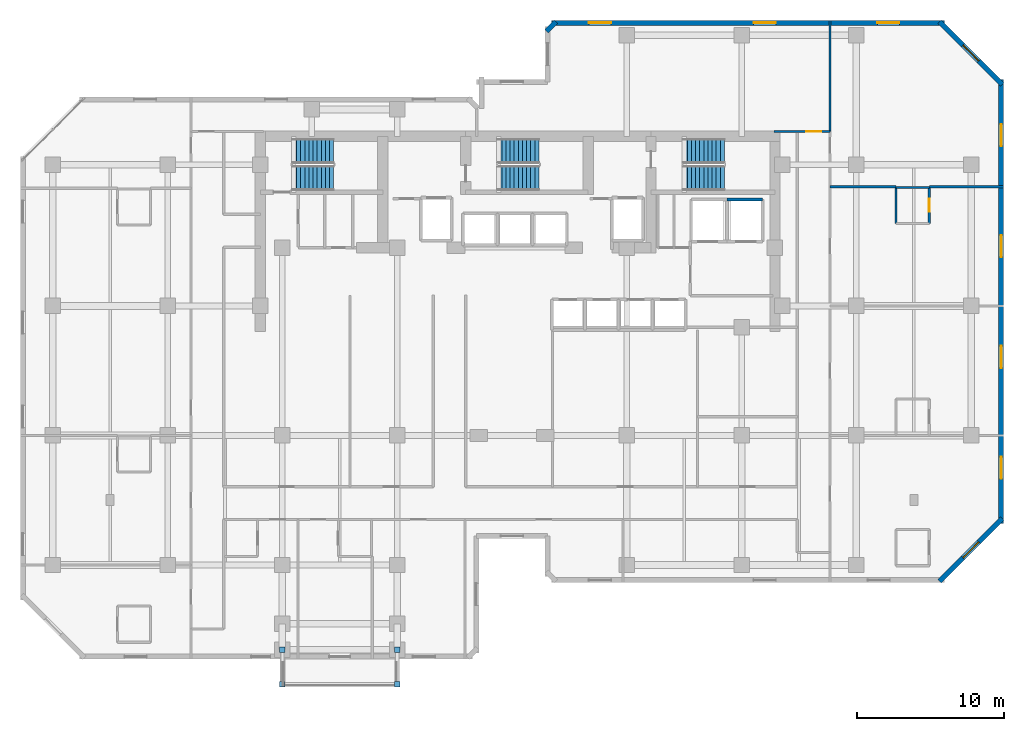
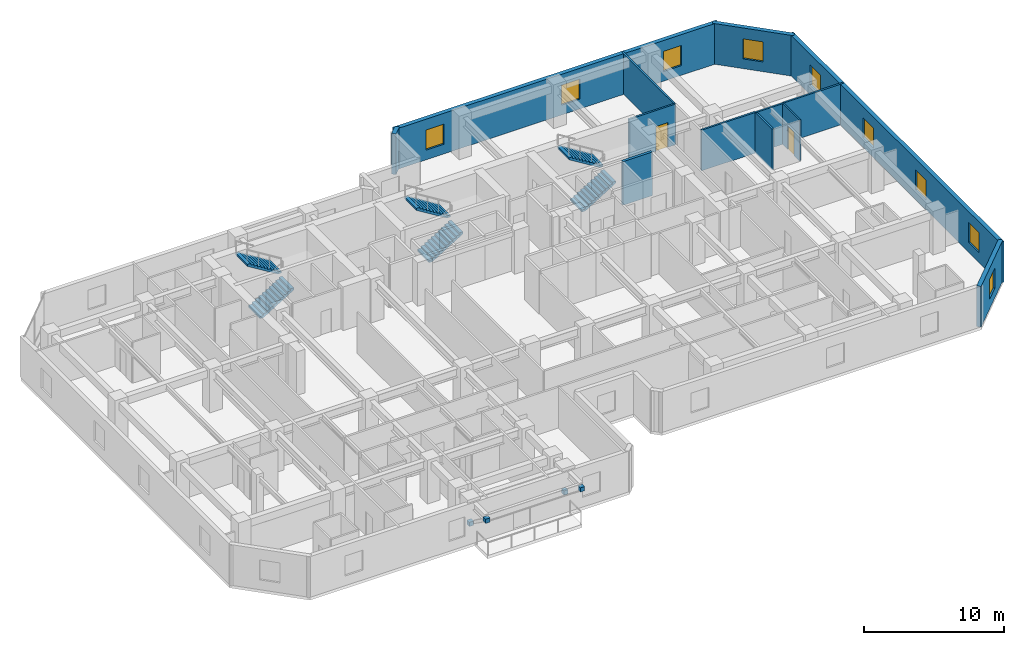
# One storey, part 9 of 11: 13 walls, 9 windows, 6 stair flights, 4 discrete accessories, 2 doors, 11 openings, 3 elements without a shape of their own.
"""IFC4 building model written with IfcOpenShell, lengths in metres."""

from ifc_helpers import new_model, si_unit, direction, frame, frame_2d, origin, origin_2d, place, context, subcontext, project, spatial, polyline, rectangle, outline, extrude, material, layer, layer_set, type_object, element, fill, aggregate, save


model = new_model("IFC4")

# Units and contexts
model_context = context("Model", 3, precision=1e-05, world=origin(), true_north=direction((0.0, 1.0)))
body_context = subcontext(model_context, "Body", "Model", "MODEL_VIEW")
ifc_project = project(units=[si_unit("LENGTHUNIT", "METRE"), si_unit("AREAUNIT", "SQUARE_METRE"), si_unit("VOLUMEUNIT", "CUBIC_METRE"), si_unit("PLANEANGLEUNIT", "RADIAN"), si_unit("MASSUNIT", "GRAM", prefix="KILO")], contexts=[model_context])

# Site, building, storey
site_placement = place(None, origin())
site = spatial("IfcSite", under=ifc_project, at=site_placement, CompositionType="ELEMENT")
building_placement = place(site_placement, origin())
building = spatial("IfcBuilding", under=site, at=building_placement, Name="Kestravale Grand Hotel", CompositionType="ELEMENT")
storey_placement = place(building_placement, frame((0.0, 0.0, 168.800048828125)))
storey = spatial("IfcBuildingStorey", under=building, at=storey_placement, Name="L42", CompositionType="ELEMENT", Elevation=168.800048828125)

# Wall, opening, window
ifc_material_1 = material(Name="Precast concrete f'c 45 MPa", Category="concrete")
ifc_layer_1 = layer(ifc_material_1, 0.340087890625)
ifc_layer_set_1 = layer_set([ifc_layer_1], Name="EW-PREC-340")
wall_type_1 = type_object("IfcWallType", Name="EW-PREC-340", PredefinedType="SOLIDWALL", material=ifc_layer_set_1)
wall_1_placement = place(storey_placement, frame((68.051513671875, 10.091796875, 0.0), z_axis=(0.0, 0.0, 1.0), x_axis=(0.707106781187, 0.707106781187, 0.0)))
wall_1 = element("IfcWall", 1, at=wall_1_placement, inside=storey, type_object=wall_type_1, Name="L42 fluted precast facade wall 8", PredefinedType="SOLIDWALL", context=body_context, shape_type="SweptSolid", body=[
    extrude(rectangle(XDim=6.019775390625, YDim=0.340087890625, at=frame_2d((3.009765625, 0.0))), origin(), (0.0, 0.0, 1.0), 3.550048828125),
])
opening_1_placement = place(wall_1_placement, frame((2.260009765625, 0.0, 0.85009765625)))
opening_1 = element("IfcOpeningElement", 2, at=opening_1_placement, cuts=wall_1, Name="Opening W-GUEST-1500", PredefinedType="OPENING", context=body_context, shape_type="SweptSolid", body=[
    extrude(rectangle(XDim=1.5, YDim=1.75, at=frame_2d((0.75, 0.875))), frame((0.0, 0.179931640625, 0.0), z_axis=(0.0, -1.0, 0.0), x_axis=(1.0, 0.0, 0.0)), (0.0, 0.0, 1.0), 0.360107421875),
])
ifc_material_2 = material(Name="Insulated low-E double glazing in aluminium frame", Category="aluminium")
window_type = type_object("IfcWindowType", Name="W-GUEST-1500", PartitioningType="SINGLE_PANEL", PredefinedType="WINDOW", material=ifc_material_2)
window_1_placement = place(opening_1_placement, origin())
window_1 = element("IfcWindow", 3, at=window_1_placement, inside=storey, type_object=window_type, Name="L42 exterior window 8.1", OverallHeight=1.75, OverallWidth=1.5, PartitioningType="SINGLE_PANEL", PredefinedType="WINDOW", context=body_context, shape_type="SweptSolid", body=[
    extrude(rectangle(XDim=1.5, YDim=1.75, at=frame_2d((0.75, 0.875))), frame((0.0, 0.030029296875, 0.0), z_axis=(0.0, -1.0, 0.0), x_axis=(1.0, 0.0, 0.0)), (0.0, 0.0, 1.0), 0.06005859375),
])
fill(opening_1, window_1)

# Wall, openings, windows
wall_2_placement = place(storey_placement, frame((72.22998046875, 14.030029296875, 0.0), z_axis=(0.0, 0.0, 1.0), x_axis=(0.0, 1.0, 0.0)))
wall_2 = element("IfcWall", 4, at=wall_2_placement, inside=storey, type_object=wall_type_1, Name="L42 fluted precast facade wall 9", PredefinedType="SOLIDWALL", context=body_context, shape_type="SweptSolid", body=[
    extrude(rectangle(XDim=30.139892578125, YDim=0.340087890625, at=frame_2d((15.06982421875, 0.0))), origin(), (0.0, 0.0, 1.0), 3.550048828125),
])
opening_2_placement = place(wall_2_placement, frame((3.017578125, 0.0, 0.85009765625)))
opening_2 = element("IfcOpeningElement", 5, at=opening_2_placement, cuts=wall_2, Name="Opening W-GUEST-1500", PredefinedType="OPENING", context=body_context, shape_type="SweptSolid", body=[
    extrude(rectangle(XDim=1.5, YDim=1.75, at=frame_2d((0.75, 0.875))), frame((0.0, 0.179931640625, 0.0), z_axis=(0.0, -1.0, 0.0), x_axis=(1.0, 0.0, 0.0)), (0.0, 0.0, 1.0), 0.360107421875),
])
opening_3_placement = place(wall_2_placement, frame((10.552490234375, 0.0, 0.85009765625)))
opening_3 = element("IfcOpeningElement", 6, at=opening_3_placement, cuts=wall_2, Name="Opening W-GUEST-1500", PredefinedType="OPENING", context=body_context, shape_type="SweptSolid", body=[
    extrude(rectangle(XDim=1.5, YDim=1.75, at=frame_2d((0.75, 0.875))), frame((0.0, 0.179931640625, 0.0), z_axis=(0.0, -1.0, 0.0), x_axis=(1.0, 0.0, 0.0)), (0.0, 0.0, 1.0), 0.360107421875),
])
opening_4_placement = place(wall_2_placement, frame((18.08740234375, 0.0, 0.85009765625)))
opening_4 = element("IfcOpeningElement", 7, at=opening_4_placement, cuts=wall_2, Name="Opening W-GUEST-1500", PredefinedType="OPENING", context=body_context, shape_type="SweptSolid", body=[
    extrude(rectangle(XDim=1.5, YDim=1.75, at=frame_2d((0.75, 0.875))), frame((0.0, 0.179931640625, 0.0), z_axis=(0.0, -1.0, 0.0), x_axis=(1.0, 0.0, 0.0)), (0.0, 0.0, 1.0), 0.360107421875),
])
opening_5_placement = place(wall_2_placement, frame((25.62255859375, 0.0, 0.85009765625)))
opening_5 = element("IfcOpeningElement", 8, at=opening_5_placement, cuts=wall_2, Name="Opening W-GUEST-1500", PredefinedType="OPENING", context=body_context, shape_type="SweptSolid", body=[
    extrude(rectangle(XDim=1.5, YDim=1.75, at=frame_2d((0.75, 0.875))), frame((0.0, 0.179931640625, 0.0), z_axis=(0.0, -1.0, 0.0), x_axis=(1.0, 0.0, 0.0)), (0.0, 0.0, 1.0), 0.360107421875),
])
window_2_placement = place(opening_2_placement, origin())
window_2 = element("IfcWindow", 9, at=window_2_placement, inside=storey, type_object=window_type, Name="L42 exterior window 9.1", OverallHeight=1.75, OverallWidth=1.5, PartitioningType="SINGLE_PANEL", PredefinedType="WINDOW", context=body_context, shape_type="SweptSolid", body=[
    extrude(rectangle(XDim=1.5, YDim=1.75, at=frame_2d((0.75, 0.875))), frame((0.0, 0.030029296875, 0.0), z_axis=(0.0, -1.0, 0.0), x_axis=(1.0, 0.0, 0.0)), (0.0, 0.0, 1.0), 0.06005859375),
])
fill(opening_2, window_2)
window_3_placement = place(opening_3_placement, origin())
window_3 = element("IfcWindow", 10, at=window_3_placement, inside=storey, type_object=window_type, Name="L42 exterior window 9.2", OverallHeight=1.75, OverallWidth=1.5, PartitioningType="SINGLE_PANEL", PredefinedType="WINDOW", context=body_context, shape_type="SweptSolid", body=[
    extrude(rectangle(XDim=1.5, YDim=1.75, at=frame_2d((0.75, 0.875))), frame((0.0, 0.030029296875, 0.0), z_axis=(0.0, -1.0, 0.0), x_axis=(1.0, 0.0, 0.0)), (0.0, 0.0, 1.0), 0.06005859375),
])
fill(opening_3, window_3)
window_4_placement = place(opening_4_placement, origin())
window_4 = element("IfcWindow", 11, at=window_4_placement, inside=storey, type_object=window_type, Name="L42 exterior window 9.3", OverallHeight=1.75, OverallWidth=1.5, PartitioningType="SINGLE_PANEL", PredefinedType="WINDOW", context=body_context, shape_type="SweptSolid", body=[
    extrude(rectangle(XDim=1.5, YDim=1.75, at=frame_2d((0.75, 0.875))), frame((0.0, 0.030029296875, 0.0), z_axis=(0.0, -1.0, 0.0), x_axis=(1.0, 0.0, 0.0)), (0.0, 0.0, 1.0), 0.06005859375),
])
fill(opening_4, window_4)
window_5_placement = place(opening_5_placement, origin())
window_5 = element("IfcWindow", 12, at=window_5_placement, inside=storey, type_object=window_type, Name="L42 exterior window 9.4", OverallHeight=1.75, OverallWidth=1.5, PartitioningType="SINGLE_PANEL", PredefinedType="WINDOW", context=body_context, shape_type="SweptSolid", body=[
    extrude(rectangle(XDim=1.5, YDim=1.75, at=frame_2d((0.75, 0.875))), frame((0.0, 0.030029296875, 0.0), z_axis=(0.0, -1.0, 0.0), x_axis=(1.0, 0.0, 0.0)), (0.0, 0.0, 1.0), 0.06005859375),
])
fill(opening_5, window_5)

# Wall, opening, window
wall_3_placement = place(storey_placement, frame((72.30810546875, 43.8515625, 0.0), z_axis=(0.0, 0.0, 1.0), x_axis=(-0.707106781187, 0.707106781187, 0.0)))
wall_3 = element("IfcWall", 13, at=wall_3_placement, inside=storey, type_object=wall_type_1, Name="L42 fluted precast facade wall 10", PredefinedType="SOLIDWALL", context=body_context, shape_type="SweptSolid", body=[
    extrude(rectangle(XDim=6.019775390625, YDim=0.340087890625, at=frame_2d((3.009765625, 0.0))), origin(), (0.0, 0.0, 1.0), 3.550048828125),
])
opening_6_placement = place(wall_3_placement, frame((2.260009765625, 0.0, 0.85009765625)))
opening_6 = element("IfcOpeningElement", 14, at=opening_6_placement, cuts=wall_3, Name="Opening W-GUEST-1500", PredefinedType="OPENING", context=body_context, shape_type="SweptSolid", body=[
    extrude(rectangle(XDim=1.5, YDim=1.75, at=frame_2d((0.75, 0.875))), frame((0.0, 0.179931640625, 0.0), z_axis=(0.0, -1.0, 0.0), x_axis=(1.0, 0.0, 0.0)), (0.0, 0.0, 1.0), 0.360107421875),
])
window_6_placement = place(opening_6_placement, origin())
window_6 = element("IfcWindow", 15, at=window_6_placement, inside=storey, type_object=window_type, Name="L42 exterior window 10.1", OverallHeight=1.75, OverallWidth=1.5, PartitioningType="SINGLE_PANEL", PredefinedType="WINDOW", context=body_context, shape_type="SweptSolid", body=[
    extrude(rectangle(XDim=1.5, YDim=1.75, at=frame_2d((0.75, 0.875))), frame((0.0, 0.030029296875, 0.0), z_axis=(0.0, -1.0, 0.0), x_axis=(1.0, 0.0, 0.0)), (0.0, 0.0, 1.0), 0.06005859375),
])
fill(opening_6, window_6)

# Wall, openings, windows
wall_4_placement = place(storey_placement, frame((68.3701171875, 48.030029296875, 0.0), z_axis=(0.0, 0.0, 1.0), x_axis=(-1.0, 0.0, 0.0)))
wall_4 = element("IfcWall", 16, at=wall_4_placement, inside=storey, type_object=wall_type_1, Name="L42 fluted precast facade wall 11", PredefinedType="SOLIDWALL", context=body_context, shape_type="SweptSolid", body=[
    extrude(rectangle(XDim=26.690185546875, YDim=0.340087890625, at=frame_2d((13.34521484375, 0.0))), origin(), (0.0, 0.0, 1.0), 3.550048828125),
])
opening_7_placement = place(wall_4_placement, frame((3.04833984375, 0.0, 0.85009765625)))
opening_7 = element("IfcOpeningElement", 17, at=opening_7_placement, cuts=wall_4, Name="Opening W-GUEST-1500", PredefinedType="OPENING", context=body_context, shape_type="SweptSolid", body=[
    extrude(rectangle(XDim=1.5, YDim=1.75, at=frame_2d((0.75, 0.875))), frame((0.0, 0.179931640625, 0.0), z_axis=(0.0, -1.0, 0.0), x_axis=(1.0, 0.0, 0.0)), (0.0, 0.0, 1.0), 0.360107421875),
])
opening_8_placement = place(wall_4_placement, frame((11.445068359375, 0.0, 0.85009765625)))
opening_8 = element("IfcOpeningElement", 18, at=opening_8_placement, cuts=wall_4, Name="Opening W-GUEST-1500", PredefinedType="OPENING", context=body_context, shape_type="SweptSolid", body=[
    extrude(rectangle(XDim=1.5, YDim=1.75, at=frame_2d((0.75, 0.875))), frame((0.0, 0.179931640625, 0.0), z_axis=(0.0, -1.0, 0.0), x_axis=(1.0, 0.0, 0.0)), (0.0, 0.0, 1.0), 0.360107421875),
])
opening_9_placement = place(wall_4_placement, frame((22.6416015625, 0.0, 0.85009765625)))
opening_9 = element("IfcOpeningElement", 19, at=opening_9_placement, cuts=wall_4, Name="Opening W-GUEST-1500", PredefinedType="OPENING", context=body_context, shape_type="SweptSolid", body=[
    extrude(rectangle(XDim=1.5, YDim=1.75, at=frame_2d((0.75, 0.875))), frame((0.0, 0.179931640625, 0.0), z_axis=(0.0, -1.0, 0.0), x_axis=(1.0, 0.0, 0.0)), (0.0, 0.0, 1.0), 0.360107421875),
])
window_7_placement = place(opening_7_placement, origin())
window_7 = element("IfcWindow", 20, at=window_7_placement, inside=storey, type_object=window_type, Name="L42 exterior window 11.1", OverallHeight=1.75, OverallWidth=1.5, PartitioningType="SINGLE_PANEL", PredefinedType="WINDOW", context=body_context, shape_type="SweptSolid", body=[
    extrude(rectangle(XDim=1.5, YDim=1.75, at=frame_2d((0.75, 0.875))), frame((0.0, 0.030029296875, 0.0), z_axis=(0.0, -1.0, 0.0), x_axis=(1.0, 0.0, 0.0)), (0.0, 0.0, 1.0), 0.06005859375),
])
fill(opening_7, window_7)
window_8_placement = place(opening_8_placement, origin())
window_8 = element("IfcWindow", 21, at=window_8_placement, inside=storey, type_object=window_type, Name="L42 exterior window 11.2", OverallHeight=1.75, OverallWidth=1.5, PartitioningType="SINGLE_PANEL", PredefinedType="WINDOW", context=body_context, shape_type="SweptSolid", body=[
    extrude(rectangle(XDim=1.5, YDim=1.75, at=frame_2d((0.75, 0.875))), frame((0.0, 0.030029296875, 0.0), z_axis=(0.0, -1.0, 0.0), x_axis=(1.0, 0.0, 0.0)), (0.0, 0.0, 1.0), 0.06005859375),
])
fill(opening_8, window_8)
window_9_placement = place(opening_9_placement, origin())
window_9 = element("IfcWindow", 22, at=window_9_placement, inside=storey, type_object=window_type, Name="L42 exterior window 11.3", OverallHeight=1.75, OverallWidth=1.5, PartitioningType="SINGLE_PANEL", PredefinedType="WINDOW", context=body_context, shape_type="SweptSolid", body=[
    extrude(rectangle(XDim=1.5, YDim=1.75, at=frame_2d((0.75, 0.875))), frame((0.0, 0.030029296875, 0.0), z_axis=(0.0, -1.0, 0.0), x_axis=(1.0, 0.0, 0.0)), (0.0, 0.0, 1.0), 0.06005859375),
])
fill(opening_9, window_9)

# Walls
wall_5_placement = place(storey_placement, frame((41.99853515625, 48.108154296875, 0.0), z_axis=(0.0, 0.0, 1.0), x_axis=(-0.707106781187, -0.707106781187, 0.0)))
element("IfcWall", 23, at=wall_5_placement, inside=storey, type_object=wall_type_1, Name="L42 fluted precast facade wall 12", PredefinedType="SOLIDWALL", context=body_context, shape_type="SweptSolid", body=[
    extrude(rectangle(XDim=0.9287109375, YDim=0.340087890625, at=frame_2d((0.46435546875, 0.0))), origin(), (0.0, 0.0, 1.0), 3.550048828125),
])
ifc_material_3 = material(Name="Moisture-resistant tile-backer plumbing chase wall", Category="other")
ifc_layer_2 = layer(ifc_material_3, 0.139892578125)
ifc_layer_set_2 = layer_set([ifc_layer_2], Name="IW-PLB-140")
wall_type_2 = type_object("IfcWallType", Name="IW-PLB-140", PredefinedType="PLUMBINGWALL", material=ifc_layer_set_2)
wall_6_placement = place(storey_placement, frame((65.10009765625, 34.409912109375, 0.0), z_axis=(0.0, 0.0, 1.0), x_axis=(0.0, 1.0, 0.0)))
element("IfcWall", 24, at=wall_6_placement, inside=storey, type_object=wall_type_2, Name="W-L42-U08-BW", PredefinedType="PLUMBINGWALL", context=body_context, shape_type="SweptSolid", body=[
    extrude(rectangle(XDim=2.4501953125, YDim=0.139892578125, at=frame_2d((1.22509765625, 0.0))), origin(), (0.0, 0.0, 1.0), 3.550048828125),
])

# Wall, opening, door
wall_7_placement = place(storey_placement, frame((67.35009765625, 34.409912109375, 0.0), z_axis=(0.0, 0.0, 1.0), x_axis=(0.0, 1.0, 0.0)))
wall_7 = element("IfcWall", 25, at=wall_7_placement, inside=storey, type_object=wall_type_2, Name="W-L42-U08-BE", PredefinedType="PLUMBINGWALL", context=body_context, shape_type="SweptSolid", body=[
    extrude(rectangle(XDim=2.4501953125, YDim=0.139892578125, at=frame_2d((1.22509765625, 0.0))), origin(), (0.0, 0.0, 1.0), 3.550048828125),
])
opening_10_placement = place(wall_7_placement, frame((0.784912109375, 0.0, 0.0)))
opening_10 = element("IfcOpeningElement", 26, at=opening_10_placement, cuts=wall_7, Name="Opening D-BATH-880", PredefinedType="OPENING", context=body_context, shape_type="SweptSolid", body=[
    extrude(rectangle(XDim=0.8798828125, YDim=2.050048828125, at=frame_2d((0.43994140625, 1.02490234375))), frame((0.0, 0.079833984375, 0.0), z_axis=(0.0, -1.0, 0.0), x_axis=(1.0, 0.0, 0.0)), (0.0, 0.0, 1.0), 0.159912109375),
])
ifc_material_4 = material(Name="Moisture-sealed walnut en-suite bathroom door", Category="wood")
door_type_1 = type_object("IfcDoorType", Name="D-BATH-880", OperationType="NOTDEFINED", PredefinedType="DOOR", material=ifc_material_4)
door_1_placement = place(opening_10_placement, origin())
door_1 = element("IfcDoor", 27, at=door_1_placement, inside=storey, type_object=door_type_1, Name="D-L42-U08-BATH", OperationType="SINGLE_SWING_RIGHT", OverallHeight=2.050048828125, OverallWidth=0.8798828125, PredefinedType="DOOR", context=body_context, shape_type="SweptSolid", body=[
    extrude(rectangle(XDim=0.8798828125, YDim=2.050048828125, at=frame_2d((0.43994140625, 1.02490234375))), frame((0.0, 0.02490234375, 0.0), z_axis=(0.0, -1.0, 0.0), x_axis=(1.0, 0.0, 0.0)), (0.0, 0.0, 1.0), 0.050048828125),
])
fill(opening_10, door_1)

# Walls
wall_8_placement = place(storey_placement, frame((65.10009765625, 36.860107421875, 0.0), z_axis=(0.0, 0.0, 1.0), x_axis=(1.0, 0.0, 0.0)))
element("IfcWall", 28, at=wall_8_placement, inside=storey, type_object=wall_type_2, Name="W-L42-U08-BN", PredefinedType="PLUMBINGWALL", context=body_context, shape_type="SweptSolid", body=[
    extrude(rectangle(XDim=2.25, YDim=0.139892578125, at=frame_2d((1.125, 0.0))), origin(), (0.0, 0.0, 1.0), 3.550048828125),
])
ifc_material_5 = material(Name="Concrete f'c 45 MPa", Category="concrete")
ifc_layer_3 = layer(ifc_material_5, 0.219970703125)
ifc_layer_set_3 = layer_set([ifc_layer_3], Name="IW-SHAFT-220")
wall_type_3 = type_object("IfcWallType", Name="IW-SHAFT-220", PredefinedType="SHEAR", material=ifc_layer_set_3)
wall_9_placement = place(storey_placement, frame((53.60009765625, 36.030029296875, 0.0), z_axis=(0.0, 0.0, 1.0), x_axis=(1.0, 0.0, 0.0)))
element("IfcWall", 29, at=wall_9_placement, inside=storey, type_object=wall_type_3, Name="L42 SL-2 north shaft wall", PredefinedType="SHEAR", context=body_context, shape_type="SweptSolid", body=[
    extrude(rectangle(XDim=2.419921875, YDim=0.219970703125, at=frame_2d((1.2099609375, 0.0))), origin(), (0.0, 0.0, 1.0), 3.800048828125),
])

# Wall, opening, door
ifc_material_6 = material(Name="Double-stud STC 52 acoustic demising partition", Category="other")
ifc_layer_4 = layer(ifc_material_6, 0.14990234375)
ifc_layer_set_4 = layer_set([ifc_layer_4], Name="IW-UNIT-150")
wall_type_4 = type_object("IfcWallType", Name="IW-UNIT-150", PredefinedType="PARTITIONING", material=ifc_layer_set_4)
wall_10_placement = place(storey_placement, frame((56.800048828125, 40.64990234375, 0.0), z_axis=(0.0, 0.0, 1.0), x_axis=(1.0, 0.0, 0.0)))
wall_10 = element("IfcWall", 30, at=wall_10_placement, inside=storey, type_object=wall_type_4, Name="W-L42-SE-N", PredefinedType="PARTITIONING", context=body_context, shape_type="SweptSolid", body=[
    extrude(rectangle(XDim=3.81005859375, YDim=0.14990234375, at=frame_2d((1.905029296875, 0.0))), origin(), (0.0, 0.0, 1.0), 3.550048828125),
])
opening_11_placement = place(wall_10_placement, frame((2.199951171875, 0.0, 0.0)))
opening_11 = element("IfcOpeningElement", 31, at=opening_11_placement, cuts=wall_10, Name="Opening D-GUEST-1000", PredefinedType="OPENING", context=body_context, shape_type="SweptSolid", body=[
    extrude(rectangle(XDim=1.0, YDim=2.14990234375, at=frame_2d((0.5, 1.074951171875))), frame((0.0, 0.0849609375, 0.0), z_axis=(0.0, -1.0, 0.0), x_axis=(1.0, 0.0, 0.0)), (0.0, 0.0, 1.0), 0.169921875),
])
ifc_material_7 = material(Name="Accessible walnut veneer hotel entrance fire door", Category="wood")
door_type_2 = type_object("IfcDoorType", Name="D-GUEST-1000", OperationType="NOTDEFINED", PredefinedType="DOOR", material=ifc_material_7)
door_2_placement = place(opening_11_placement, origin())
door_2 = element("IfcDoor", 32, at=door_2_placement, inside=storey, type_object=door_type_2, Name="L42 NE Gallery Door", OperationType="SINGLE_SWING_LEFT", OverallHeight=2.14990234375, OverallWidth=1.0, PredefinedType="DOOR", context=body_context, shape_type="SweptSolid", body=[
    extrude(rectangle(XDim=1.0, YDim=2.14990234375, at=frame_2d((0.5, 1.074951171875))), frame((0.0, 0.02490234375, 0.0), z_axis=(0.0, -1.0, 0.0), x_axis=(1.0, 0.0, 0.0)), (0.0, 0.0, 1.0), 0.050048828125),
])
fill(opening_11, door_2)

# Walls
wall_11_placement = place(storey_placement, frame((60.610107421875, 40.64990234375, 0.0), z_axis=(0.0, 0.0, 1.0), x_axis=(0.0, 1.0, 0.0)))
element("IfcWall", 33, at=wall_11_placement, inside=storey, type_object=wall_type_4, Name="W-L42-NGE-E", PredefinedType="PARTITIONING", context=body_context, shape_type="SweptSolid", body=[
    extrude(rectangle(XDim=7.530029296875, YDim=0.14990234375, at=frame_2d((3.76513671875, 0.0))), origin(), (0.0, 0.0, 1.0), 3.550048828125),
])
wall_12_placement = place(storey_placement, frame((60.610107421875, 36.89990234375, 0.0), z_axis=(0.0, 0.0, 1.0), x_axis=(1.0, 0.0, 0.0)))
element("IfcWall", 34, at=wall_12_placement, inside=storey, type_object=wall_type_4, Name="W-L42-EW-3", PredefinedType="PARTITIONING", context=body_context, shape_type="SweptSolid", body=[
    extrude(rectangle(XDim=4.489990234375, YDim=0.14990234375, at=frame_2d((2.2451171875, 0.0))), origin(), (0.0, 0.0, 1.0), 3.550048828125),
])
wall_13_placement = place(storey_placement, frame((67.35009765625, 36.89990234375, 0.0), z_axis=(0.0, 0.0, 1.0), x_axis=(1.0, 0.0, 0.0)))
element("IfcWall", 35, at=wall_13_placement, inside=storey, type_object=wall_type_4, Name="W-L42-EW-3", PredefinedType="PARTITIONING", context=body_context, shape_type="SweptSolid", body=[
    extrude(rectangle(XDim=5.02978515625, YDim=0.14990234375, at=frame_2d((2.514892578125, 0.0))), origin(), (0.0, 0.0, 1.0), 3.550048828125),
])

# Stair, stair flights
ifc_material_8 = material(Name="Concrete f'c 45 MPa", Category="concrete")
stair_type = type_object("IfcStairType", Name="ST-CORE-380", PredefinedType="HALF_TURN_STAIR", material=ifc_material_8)
stair_1_placement = place(storey_placement, origin())
stair_1 = element("IfcStair", 36, at=stair_1_placement, inside=storey, type_object=stair_type, Name="L42 ST-1", PredefinedType="HALF_TURN_STAIR")
ifc_material_9 = material(Name="Concrete f'c 45 MPa", Category="concrete")
stair_flight_type = type_object("IfcStairFlightType", Name="STF-CORE-380", PredefinedType="STRAIGHT", material=ifc_material_9)
stair_flight_1_placement = place(storey_placement, frame((24.080078125, 37.489990234375, 0.0), z_axis=(0.0, 0.0, 1.0), x_axis=(1.0, 0.0, 0.0)))
stair_flight_1 = element("IfcStairFlight", 37, at=stair_flight_1_placement, type_object=stair_flight_type, Name="ST-1 flight 1", NumberOfRisers=11, NumberOfTreads=10, PredefinedType="STRAIGHT", RiserHeight=0.172727273, TreadLength=0.28, context=body_context, shape_type="SweptSolid", body=[
    extrude(outline(polyline([(0.0, 0.0), (0.0, 0.172607421875), (0.280029296875, 0.172607421875), (0.280029296875, 0.345458984375), (0.56005859375, 0.345458984375), (0.56005859375, 0.51806640625), (0.840087890625, 0.51806640625), (0.840087890625, 0.69091796875), (1.1201171875, 0.69091796875), (1.1201171875, 0.863525390625), (1.39990234375, 0.863525390625), (1.39990234375, 1.036376953125), (1.679931640625, 1.036376953125), (1.679931640625, 1.208984375), (1.9599609375, 1.208984375), (1.9599609375, 1.3818359375), (2.239990234375, 1.3818359375), (2.239990234375, 1.554443359375), (2.52001953125, 1.554443359375), (2.52001953125, 1.727294921875), (2.800048828125, 1.727294921875), (2.800048828125, 1.89990234375), (2.800048828125, 1.551025390625), (0.285400390625, 0.0), (0.0, 0.0)])), frame((0.0, 0.83984375, 0.0), z_axis=(0.0, -1.0, 0.0), x_axis=(1.0, 0.0, 0.0)), (0.0, 0.0, 1.0), 1.679931640625),
])
stair_flight_2_placement = place(storey_placement, frame((26.8798828125, 39.320068359375, 1.89990234375), z_axis=(0.0, 0.0, 1.0), x_axis=(-1.0, 0.0, 0.0)))
stair_flight_2 = element("IfcStairFlight", 38, at=stair_flight_2_placement, type_object=stair_flight_type, Name="ST-1 flight 2", NumberOfRisers=11, NumberOfTreads=10, PredefinedType="STRAIGHT", RiserHeight=0.172727273, TreadLength=0.28, context=body_context, shape_type="SweptSolid", body=[
    extrude(outline(polyline([(0.0, 0.0), (0.0, 0.172607421875), (0.280029296875, 0.172607421875), (0.280029296875, 0.345458984375), (0.56005859375, 0.345458984375), (0.56005859375, 0.51806640625), (0.840087890625, 0.51806640625), (0.840087890625, 0.69091796875), (1.1201171875, 0.69091796875), (1.1201171875, 0.863525390625), (1.39990234375, 0.863525390625), (1.39990234375, 1.036376953125), (1.679931640625, 1.036376953125), (1.679931640625, 1.208984375), (1.9599609375, 1.208984375), (1.9599609375, 1.3818359375), (2.239990234375, 1.3818359375), (2.239990234375, 1.554443359375), (2.52001953125, 1.554443359375), (2.52001953125, 1.727294921875), (2.800048828125, 1.727294921875), (2.800048828125, 1.89990234375), (2.800048828125, 1.551025390625), (0.285400390625, 0.0), (0.0, 0.0)])), frame((0.0, 0.83984375, 0.0), z_axis=(0.0, -1.0, 0.0), x_axis=(1.0, 0.0, 0.0)), (0.0, 0.0, 1.0), 1.679931640625),
])
aggregate(stair_1, [stair_flight_1, stair_flight_2])

stair_2_placement = place(storey_placement, origin())
stair_2 = element("IfcStair", 39, at=stair_2_placement, inside=storey, type_object=stair_type, Name="L42 ST-2", PredefinedType="HALF_TURN_STAIR")
stair_flight_3_placement = place(storey_placement, frame((38.030029296875, 37.489990234375, 0.0), z_axis=(0.0, 0.0, 1.0), x_axis=(1.0, 0.0, 0.0)))
stair_flight_3 = element("IfcStairFlight", 40, at=stair_flight_3_placement, type_object=stair_flight_type, Name="ST-2 flight 1", NumberOfRisers=11, NumberOfTreads=10, PredefinedType="STRAIGHT", RiserHeight=0.172727273, TreadLength=0.28, context=body_context, shape_type="SweptSolid", body=[
    extrude(outline(polyline([(0.0, 0.0), (0.0, 0.172607421875), (0.280029296875, 0.172607421875), (0.280029296875, 0.345458984375), (0.56005859375, 0.345458984375), (0.56005859375, 0.51806640625), (0.840087890625, 0.51806640625), (0.840087890625, 0.69091796875), (1.1201171875, 0.69091796875), (1.1201171875, 0.863525390625), (1.39990234375, 0.863525390625), (1.39990234375, 1.036376953125), (1.679931640625, 1.036376953125), (1.679931640625, 1.208984375), (1.9599609375, 1.208984375), (1.9599609375, 1.3818359375), (2.239990234375, 1.3818359375), (2.239990234375, 1.554443359375), (2.52001953125, 1.554443359375), (2.52001953125, 1.727294921875), (2.800048828125, 1.727294921875), (2.800048828125, 1.89990234375), (2.800048828125, 1.551025390625), (0.285400390625, 0.0), (0.0, 0.0)])), frame((0.0, 0.83984375, 0.0), z_axis=(0.0, -1.0, 0.0), x_axis=(1.0, 0.0, 0.0)), (0.0, 0.0, 1.0), 1.679931640625),
])
stair_flight_4_placement = place(storey_placement, frame((40.830078125, 39.320068359375, 1.89990234375), z_axis=(0.0, 0.0, 1.0), x_axis=(-1.0, 0.0, 0.0)))
stair_flight_4 = element("IfcStairFlight", 41, at=stair_flight_4_placement, type_object=stair_flight_type, Name="ST-2 flight 2", NumberOfRisers=11, NumberOfTreads=10, PredefinedType="STRAIGHT", RiserHeight=0.172727273, TreadLength=0.28, context=body_context, shape_type="SweptSolid", body=[
    extrude(outline(polyline([(0.0, 0.0), (0.0, 0.172607421875), (0.280029296875, 0.172607421875), (0.280029296875, 0.345458984375), (0.56005859375, 0.345458984375), (0.56005859375, 0.51806640625), (0.840087890625, 0.51806640625), (0.840087890625, 0.69091796875), (1.1201171875, 0.69091796875), (1.1201171875, 0.863525390625), (1.39990234375, 0.863525390625), (1.39990234375, 1.036376953125), (1.679931640625, 1.036376953125), (1.679931640625, 1.208984375), (1.9599609375, 1.208984375), (1.9599609375, 1.3818359375), (2.239990234375, 1.3818359375), (2.239990234375, 1.554443359375), (2.52001953125, 1.554443359375), (2.52001953125, 1.727294921875), (2.800048828125, 1.727294921875), (2.800048828125, 1.89990234375), (2.800048828125, 1.551025390625), (0.285400390625, 0.0), (0.0, 0.0)])), frame((0.0, 0.83984375, 0.0), z_axis=(0.0, -1.0, 0.0), x_axis=(1.0, 0.0, 0.0)), (0.0, 0.0, 1.0), 1.679931640625),
])
aggregate(stair_2, [stair_flight_3, stair_flight_4])

stair_3_placement = place(storey_placement, origin())
stair_3 = element("IfcStair", 42, at=stair_3_placement, inside=storey, type_object=stair_type, Name="L42 ST-3", PredefinedType="HALF_TURN_STAIR")
stair_flight_5_placement = place(storey_placement, frame((50.6298828125, 37.489990234375, 0.0), z_axis=(0.0, 0.0, 1.0), x_axis=(1.0, 0.0, 0.0)))
stair_flight_5 = element("IfcStairFlight", 43, at=stair_flight_5_placement, type_object=stair_flight_type, Name="ST-3 flight 1", NumberOfRisers=11, NumberOfTreads=10, PredefinedType="STRAIGHT", RiserHeight=0.172727273, TreadLength=0.28, context=body_context, shape_type="SweptSolid", body=[
    extrude(outline(polyline([(0.0, 0.0), (0.0, 0.172607421875), (0.280029296875, 0.172607421875), (0.280029296875, 0.345458984375), (0.56005859375, 0.345458984375), (0.56005859375, 0.51806640625), (0.840087890625, 0.51806640625), (0.840087890625, 0.69091796875), (1.1201171875, 0.69091796875), (1.1201171875, 0.863525390625), (1.39990234375, 0.863525390625), (1.39990234375, 1.036376953125), (1.679931640625, 1.036376953125), (1.679931640625, 1.208984375), (1.9599609375, 1.208984375), (1.9599609375, 1.3818359375), (2.239990234375, 1.3818359375), (2.239990234375, 1.554443359375), (2.52001953125, 1.554443359375), (2.52001953125, 1.727294921875), (2.800048828125, 1.727294921875), (2.800048828125, 1.89990234375), (2.800048828125, 1.551025390625), (0.285400390625, 0.0), (0.0, 0.0)])), frame((0.0, 0.83984375, 0.0), z_axis=(0.0, -1.0, 0.0), x_axis=(1.0, 0.0, 0.0)), (0.0, 0.0, 1.0), 1.679931640625),
])
stair_flight_6_placement = place(storey_placement, frame((53.429931640625, 39.320068359375, 1.89990234375), z_axis=(0.0, 0.0, 1.0), x_axis=(-1.0, 0.0, 0.0)))
stair_flight_6 = element("IfcStairFlight", 44, at=stair_flight_6_placement, type_object=stair_flight_type, Name="ST-3 flight 2", NumberOfRisers=11, NumberOfTreads=10, PredefinedType="STRAIGHT", RiserHeight=0.172727273, TreadLength=0.28, context=body_context, shape_type="SweptSolid", body=[
    extrude(outline(polyline([(0.0, 0.0), (0.0, 0.172607421875), (0.280029296875, 0.172607421875), (0.280029296875, 0.345458984375), (0.56005859375, 0.345458984375), (0.56005859375, 0.51806640625), (0.840087890625, 0.51806640625), (0.840087890625, 0.69091796875), (1.1201171875, 0.69091796875), (1.1201171875, 0.863525390625), (1.39990234375, 0.863525390625), (1.39990234375, 1.036376953125), (1.679931640625, 1.036376953125), (1.679931640625, 1.208984375), (1.9599609375, 1.208984375), (1.9599609375, 1.3818359375), (2.239990234375, 1.3818359375), (2.239990234375, 1.554443359375), (2.52001953125, 1.554443359375), (2.52001953125, 1.727294921875), (2.800048828125, 1.727294921875), (2.800048828125, 1.89990234375), (2.800048828125, 1.551025390625), (0.285400390625, 0.0), (0.0, 0.0)])), frame((0.0, 0.83984375, 0.0), z_axis=(0.0, -1.0, 0.0), x_axis=(1.0, 0.0, 0.0)), (0.0, 0.0, 1.0), 1.679931640625),
])
aggregate(stair_3, [stair_flight_5, stair_flight_6])

# Discrete accessories
ifc_material_10 = material(Name="Steel ASTM A572 Grade 50 hot-dip galvanised bracket", Category="steel")
discrete_accessory_type = type_object("IfcDiscreteAccessoryType", Name="ACC-BRK-STL", PredefinedType="BRACKET", material=ifc_material_10)
for number, where, z_axis, x_axis, name in (
    (45, (23.39990234375, 5.449951171875, 1.19384765625), (0.0, 0.0, 1.0), (1.0, 0.0, 0.0), "L43 terrace strut column bracket 1"),
    (46, (23.39990234375, 3.10009765625, 2.89404296875), (0.0, 0.0, 1.0), (1.0, 0.0, 0.0), "L43 terrace strut beam bracket 1"),
    (47, (31.199951171875, 5.449951171875, 1.19384765625), (0.0, 0.0, 1.0), (1.0, 0.0, 0.0), "L43 terrace strut column bracket 2"),
    (48, (31.199951171875, 3.10009765625, 2.89404296875), (0.0, 0.0, 1.0), (1.0, 0.0, 0.0), "L43 terrace strut beam bracket 2"),
):
    element("IfcDiscreteAccessory", number, at=place(storey_placement, frame(where, z_axis=z_axis, x_axis=x_axis)), inside=storey, type_object=discrete_accessory_type, Name=name, PredefinedType="BRACKET", context=body_context, shape_type="SweptSolid", body=[
        extrude(rectangle(XDim=0.360107421875, YDim=0.360107421875, at=origin_2d()), origin(), (0.0, 0.0, 1.0), 0.360107421875),
    ])

save(model, "model.ifc")
